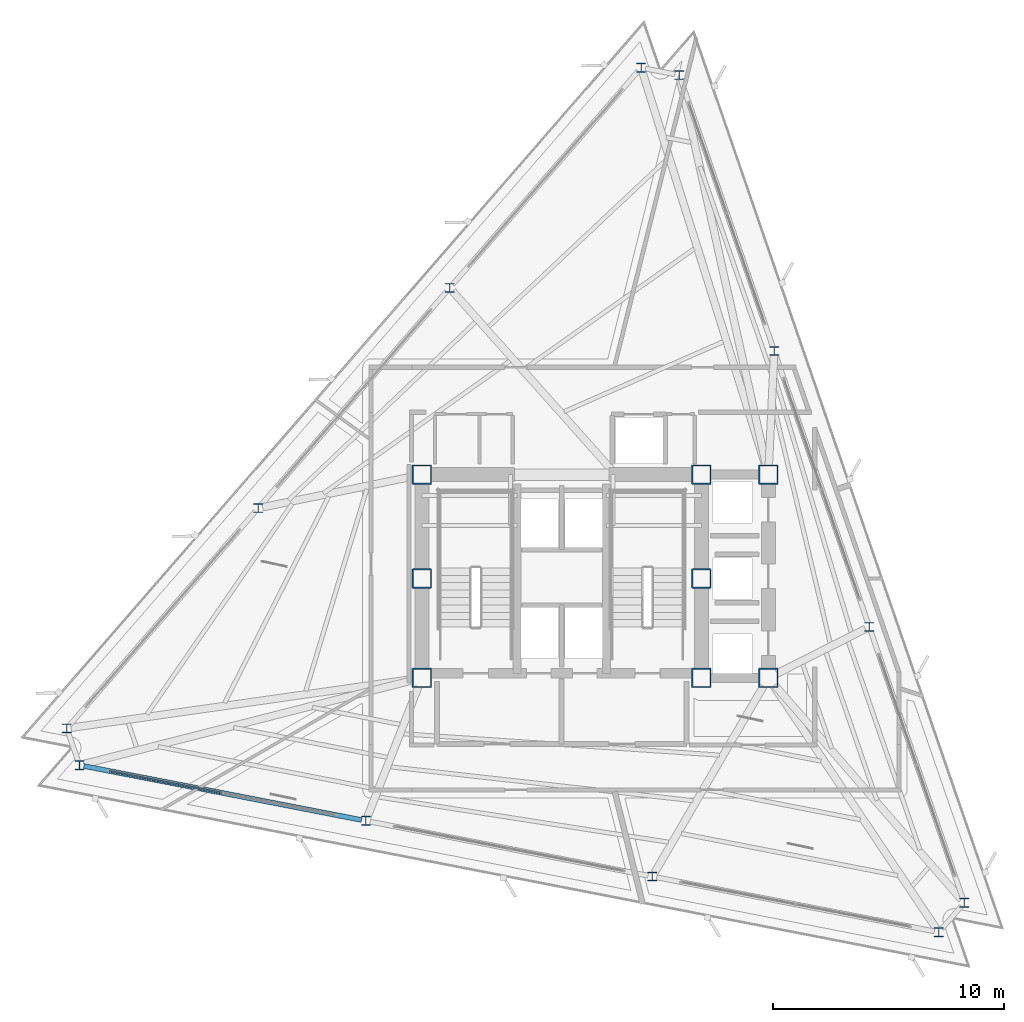
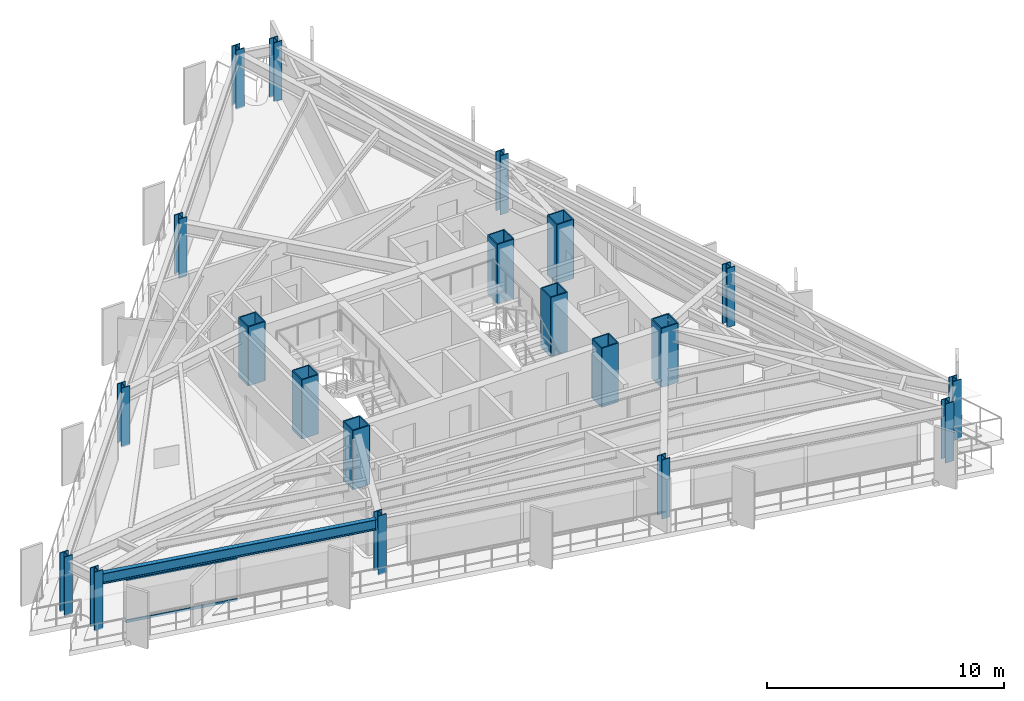
# One storey, part 1 of 13: 20 columns, 2 members, 1 beam, 1 element without a shape of its own.
"""IFC4 building model written with IfcOpenShell, lengths in metres."""

from ifc_helpers import new_model, si_unit, direction, frame, origin, origin_2d, place, context, subcontext, project, spatial, rectangle, hollow_rectangle, i_section, extrude, material, layer, layer_set, material_profile, profile_set, type_object, element, aggregate, save


model = new_model("IFC4")

# Units and contexts
model_context = context("Model", 3, precision=1e-05, world=origin(), true_north=direction((0.0, 1.0)))
body_context = subcontext(model_context, "Body", "Model", "MODEL_VIEW")
ifc_project = project(units=[si_unit("LENGTHUNIT", "METRE"), si_unit("AREAUNIT", "SQUARE_METRE"), si_unit("VOLUMEUNIT", "CUBIC_METRE"), si_unit("PLANEANGLEUNIT", "RADIAN"), si_unit("MASSUNIT", "GRAM", prefix="KILO")], contexts=[model_context])

# Site, building, storey
site_placement = place(None, origin())
site = spatial("IfcSite", under=ifc_project, at=site_placement, CompositionType="ELEMENT")
building_placement = place(site_placement, origin())
building = spatial("IfcBuilding", under=site, at=building_placement, Name="Rocaltana Carrier Exchange", CompositionType="ELEMENT")
storey_placement = place(building_placement, frame((0.0, 0.0, 150.239990234375)))
storey = spatial("IfcBuildingStorey", under=building, at=storey_placement, Name="L47", CompositionType="ELEMENT", Elevation=150.239990234375)

# Columns
ifc_material_1 = material(Name="Steel S460", Category="steel")
ifc_material_profile_1 = material_profile(ifc_material_1, hollow_rectangle(XDim=0.85009765625, YDim=0.85009765625, WallThickness=0.054931640625, InnerFilletRadius=0.02001953125, OuterFilletRadius=0.0400390625, at=origin_2d()), Name="BOX850X850X55")
ifc_profile_set_1 = profile_set([ifc_material_profile_1], Name="Steel S460")
column_type_1 = type_object("IfcColumnType", Name="Core Mega-Column BOX850", PredefinedType="COLUMN", material=ifc_profile_set_1)
for number, where, z_axis, x_axis, name in (
    (1, (-6.050048828125, 4.5, 0.0), (0.0, 0.0, 1.0), (1.0, 0.0, 0.0), "L47 Core Mega-Column MC1"),
    (2, (6.050048828125, 4.5, 0.0), (0.0, 0.0, 1.0), (1.0, 0.0, 0.0), "L47 Core Mega-Column MC2"),
    (3, (-6.050048828125, 0.0, 0.0), (0.0, 0.0, 1.0), (1.0, 0.0, 0.0), "L47 Core Mega-Column MC3"),
    (4, (6.050048828125, 0.0, 0.0), (0.0, 0.0, 1.0), (1.0, 0.0, 0.0), "L47 Core Mega-Column MC4"),
    (5, (-6.050048828125, -4.300048828125, 0.0), (0.0, 0.0, 1.0), (1.0, 0.0, 0.0), "L47 Core Mega-Column MC5"),
    (6, (6.050048828125, -4.300048828125, 0.0), (0.0, 0.0, 1.0), (1.0, 0.0, 0.0), "L47 Core Mega-Column MC6"),
    (7, (8.949951171875, 4.5, 0.0), (0.0, 0.0, 1.0), (1.0, 0.0, 0.0), "L47 East Core Column EC1"),
    (8, (8.949951171875, -4.300048828125, 0.0), (0.0, 0.0, 1.0), (1.0, 0.0, 0.0), "L47 East Core Column EC2"),
):
    element("IfcColumn", number, at=place(storey_placement, frame(where, z_axis=z_axis, x_axis=x_axis)), inside=storey, type_object=column_type_1, Name=name, PredefinedType="COLUMN", context=body_context, shape_type="SweptSolid", body=[
        extrude(hollow_rectangle(XDim=0.85009765625, YDim=0.85009765625, WallThickness=0.054931640625, InnerFilletRadius=0.02001953125, OuterFilletRadius=0.0400390625, at=origin_2d()), origin(), (0.0, 0.0, 1.0), 3.0400390625),
    ])
ifc_material_2 = material(Name="Steel S355", Category="steel")
ifc_material_profile_2 = material_profile(ifc_material_2, i_section(OverallWidth=0.40087890625, OverallDepth=0.39892578125, WebThickness=0.02490234375, FlangeThickness=0.03955078125, FilletRadius=0.01806640625, at=origin_2d()), Name="W14X211")
ifc_profile_set_2 = profile_set([ifc_material_profile_2], Name="Steel S355")
column_type_2 = type_object("IfcColumnType", Name="Perimeter Column W14X211", PredefinedType="COLUMN", material=ifc_profile_set_2)
for number, where, z_axis, x_axis, name in (
    (9, (17.43408203125, -14.038818359375, 0.0), (0.0, 0.0, 1.0), (1.0, 0.0, 0.0), "L47 Perimeter Column TC01"),
    (10, (13.321044921875, -2.09375, 0.0), (0.0, 0.0, 1.0), (1.0, 0.0, 0.0), "L47 Perimeter Column TC02"),
    (11, (9.2080078125, 9.851318359375, 0.0), (0.0, 0.0, 1.0), (1.0, 0.0, 0.0), "L47 Perimeter Column TC03"),
    (12, (5.094970703125, 21.79638671875, 0.0), (0.0, 0.0, 1.0), (1.0, 0.0, 0.0), "L47 Perimeter Column TC04"),
    (13, (3.44091796875, 22.117919921875, 0.0), (0.0, 0.0, 1.0), (1.0, 0.0, 0.0), "L47 Perimeter Column TC05"),
    (14, (-4.84716796875, 12.583251953125, 0.0), (0.0, 0.0, 1.0), (1.0, 0.0, 0.0), "L47 Perimeter Column TC06"),
    (15, (-13.135498046875, 3.048828125, 0.0), (0.0, 0.0, 1.0), (1.0, 0.0, 0.0), "L47 Perimeter Column TC07"),
    (16, (-21.423583984375, -6.485595703125, 0.0), (0.0, 0.0, 1.0), (1.0, 0.0, 0.0), "L47 Perimeter Column TC08"),
    (17, (-20.875, -8.078857421875, 0.0), (0.0, 0.0, 1.0), (1.0, 0.0, 0.0), "L47 Perimeter Column TC09"),
    (18, (-8.473876953125, -10.489501953125, 0.0), (0.0, 0.0, 1.0), (1.0, 0.0, 0.0), "L47 Perimeter Column TC10"),
    (19, (3.927490234375, -12.89990234375, 0.0), (0.0, 0.0, 1.0), (1.0, 0.0, 0.0), "L47 Perimeter Column TC11"),
    (20, (16.32861328125, -15.310546875, 0.0), (0.0, 0.0, 1.0), (1.0, 0.0, 0.0), "L47 Perimeter Column TC12"),
):
    element("IfcColumn", number, at=place(storey_placement, frame(where, z_axis=z_axis, x_axis=x_axis)), inside=storey, type_object=column_type_2, Name=name, PredefinedType="COLUMN", context=body_context, shape_type="SweptSolid", body=[
        extrude(i_section(OverallWidth=0.40087890625, OverallDepth=0.39892578125, WebThickness=0.02490234375, FlangeThickness=0.03955078125, FilletRadius=0.01806640625, at=origin_2d()), origin(), (0.0, 0.0, 1.0), 3.0400390625),
    ])

# Curtain wall, members
ifc_material_3 = material(Name="Aluminium 6063-T6", Category="aluminium")
ifc_layer = layer(ifc_material_3, 0.135009765625)
ifc_layer_set = layer_set([ifc_layer], Name="Aluminium 6063-T6")
curtain_wall_type = type_object("IfcCurtainWallType", Name="Upper-Mid Acoustic Curtain Wall CW-04", PredefinedType="NOTDEFINED", material=ifc_layer_set)
curtain_wall_placement = place(storey_placement, origin())
curtain_wall = element("IfcCurtainWall", 21, at=curtain_wall_placement, inside=storey, type_object=curtain_wall_type, Name="L47 CW-04 Run CW-L47-F3S1", PredefinedType="NOTDEFINED")
ifc_material_4 = material(Name="Aluminium 6063-T6", Category="aluminium")
ifc_material_profile_3 = material_profile(ifc_material_4, rectangle(XDim=0.06494140625, YDim=0.135009765625, at=origin_2d()), Name="AL-65X135")
ifc_profile_set_3 = profile_set([ifc_material_profile_3], Name="Aluminium 6063-T6")
member_type = type_object("IfcMemberType", Name="CW-04 Transom AL-65X135", PredefinedType="USERDEFINED", material=ifc_profile_set_3)
member_1_placement = place(storey_placement, frame((-19.584228515625, -8.329833984375, 0.032470703125), z_axis=(0.981633795462, -0.190774976365, 0.0), x_axis=(0.190774976365, 0.981633795462, 0.0)))
member_1 = element("IfcMember", 22, at=member_1_placement, type_object=member_type, Name="CW-04 transom 1.1", ObjectType="TRANSOM", PredefinedType="USERDEFINED", context=body_context, shape_type="SweptSolid", body=[
    extrude(rectangle(XDim=0.06494140625, YDim=0.135009765625, at=origin_2d()), origin(), (0.0, 0.0, 1.0), 4.96923828125),
])
member_2_placement = place(storey_placement, frame((-19.584228515625, -8.329833984375, 2.185546875), z_axis=(0.981633795462, -0.190774976365, 0.0), x_axis=(0.190774976365, 0.981633795462, 0.0)))
member_2 = element("IfcMember", 23, at=member_2_placement, type_object=member_type, Name="CW-04 transom 1.2", ObjectType="TRANSOM", PredefinedType="USERDEFINED", context=body_context, shape_type="SweptSolid", body=[
    extrude(rectangle(XDim=0.06494140625, YDim=0.135009765625, at=origin_2d()), origin(), (0.0, 0.0, 1.0), 4.96923828125),
])
aggregate(curtain_wall, [member_1, member_2])

# Beam
ifc_material_5 = material(Name="Steel S355", Category="steel")
ifc_material_profile_4 = material_profile(ifc_material_5, i_section(OverallWidth=0.2119140625, OverallDepth=0.5439453125, WebThickness=0.01318359375, FlangeThickness=0.021240234375, FilletRadius=0.014892578125, at=origin_2d()), Name="W21X83")
ifc_profile_set_4 = profile_set([ifc_material_profile_4], Name="Steel S355")
beam_type = type_object("IfcBeamType", Name="Spandrel Edge Beam W21X83", PredefinedType="SPANDREL", material=ifc_profile_set_4)
beam_placement = place(storey_placement, frame((-20.68701171875, -8.115478515625, 2.51611328125), z_axis=(0.981627937951, -0.190805113754, 0.0), x_axis=(0.190805113754, 0.981627937951, 0.0)))
element("IfcBeam", 24, at=beam_placement, inside=storey, type_object=beam_type, Name="SP-L47-09", PredefinedType="SPANDREL", context=body_context, shape_type="SweptSolid", body=[
    extrude(i_section(OverallWidth=0.2119140625, OverallDepth=0.5439453125, WebThickness=0.01318359375, FlangeThickness=0.021240234375, FilletRadius=0.014892578125, at=origin_2d()), origin(), (0.0, 0.0, 1.0), 12.250244140625),
])

save(model, "model.ifc")
